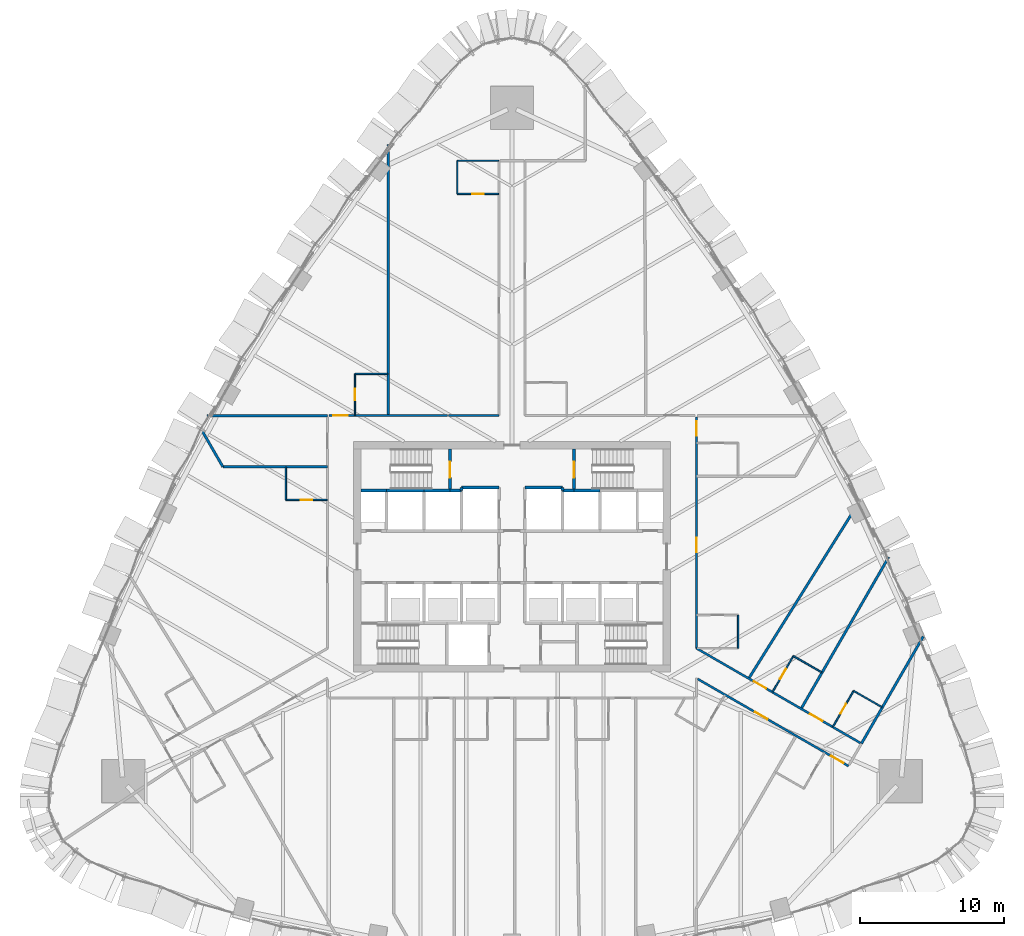
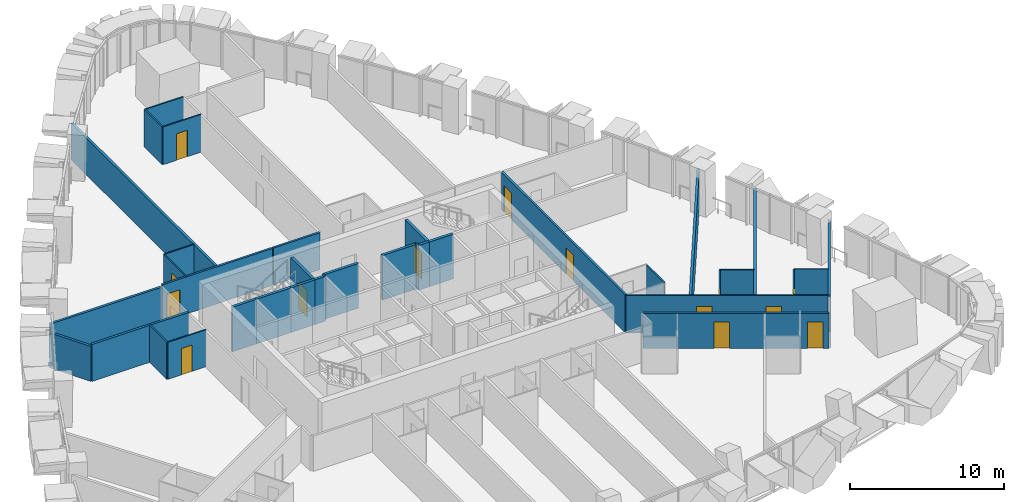
# One storey, part 18 of 24: 36 walls, 14 doors, 14 openings.
"""IFC4 building model written with IfcOpenShell, lengths in metres."""

from ifc_helpers import new_model, si_unit, direction, frame, frame_2d, origin, place, context, subcontext, project, spatial, rectangle, extrude, material, layer, layer_set, type_object, element, fill, save


model = new_model("IFC4")

# Units and contexts
model_context = context("Model", 3, precision=1e-05, world=origin(), true_north=direction((0.0, 1.0)))
body_context = subcontext(model_context, "Body", "Model", "MODEL_VIEW")
ifc_project = project(units=[si_unit("LENGTHUNIT", "METRE"), si_unit("AREAUNIT", "SQUARE_METRE"), si_unit("VOLUMEUNIT", "CUBIC_METRE"), si_unit("PLANEANGLEUNIT", "RADIAN"), si_unit("MASSUNIT", "GRAM", prefix="KILO")], contexts=[model_context])

# Site, building, storey
site_placement = place(None, origin())
site = spatial("IfcSite", under=ifc_project, at=site_placement, CompositionType="ELEMENT")
building_placement = place(site_placement, origin())
building = spatial("IfcBuilding", under=site, at=building_placement, Name="Sierra Prisma Convention Tower", CompositionType="ELEMENT")
storey_placement = place(building_placement, frame((0.0, 0.0, 55.39990234375)))
storey = spatial("IfcBuildingStorey", under=building, at=storey_placement, Name="L09", CompositionType="ELEMENT", Elevation=55.39990234375)

# Wall, opening, door
ifc_material_1 = material(Name="Gypsum board partition", Category="gypsum")
ifc_layer_1 = layer(ifc_material_1, 0.10009765625)
ifc_layer_set_1 = layer_set([ifc_layer_1], Name="Bathroom partition 100")
wall_type_1 = type_object("IfcWallType", Name="Bathroom partition 100", PredefinedType="PARTITIONING", material=ifc_layer_set_1)
wall_1_placement = place(storey_placement, frame((-12.830078125, 3.94921875, 0.0), z_axis=(0.0, 0.0, 1.0), x_axis=(-1.0, 0.0, 0.0)))
wall_1 = element("IfcWall", 1, at=wall_1_placement, inside=storey, type_object=wall_type_1, Name="Partition L09 bath 8", PredefinedType="PARTITIONING", context=body_context, shape_type="SweptSolid", body=[
    extrude(rectangle(XDim=2.869873046875, YDim=0.10009765625, at=frame_2d((1.43505859375, 0.0))), origin(), (0.0, 0.0, 1.0), 2.943115234375),
])
opening_1_placement = place(wall_1_placement, frame((1.034912109375, 0.0, 0.0)))
opening_1 = element("IfcOpeningElement", 2, at=opening_1_placement, cuts=wall_1, Name="Opening L09-D006", PredefinedType="OPENING", context=body_context, shape_type="SweptSolid", body=[
    extrude(rectangle(XDim=0.800048828125, YDim=2.10009765625, at=frame_2d((0.39990234375, 1.050048828125))), frame((0.0, 0.050048828125, 0.0), z_axis=(0.0, -1.0, 0.0), x_axis=(1.0, 0.0, 0.0)), (0.0, 0.0, 1.0), 0.10009765625),
])
ifc_material_2 = material(Name="Solid core timber door leaf", Category="wood")
door_type_1 = type_object("IfcDoorType", Name="Door 800x2100 plain", OperationType="SINGLE_SWING_LEFT", PredefinedType="DOOR", material=ifc_material_2)
door_1_placement = place(opening_1_placement, origin())
door_1 = element("IfcDoor", 3, at=door_1_placement, inside=storey, type_object=door_type_1, Name="Door L09 14", OperationType="SINGLE_SWING_RIGHT", OverallHeight=2.10009765625, OverallWidth=0.800048828125, PredefinedType="DOOR", context=body_context, shape_type="SweptSolid", body=[
    extrude(rectangle(XDim=0.800048828125, YDim=2.10009765625, at=frame_2d((0.39990234375, 1.050048828125))), frame((0.0, 0.02490234375, 0.0), z_axis=(0.0, -1.0, 0.0), x_axis=(1.0, 0.0, 0.0)), (0.0, 0.0, 1.0), 0.050048828125),
])
fill(opening_1, door_1)

# Wall
wall_2_placement = place(storey_placement, frame((-15.699951171875, 3.94921875, 0.0), z_axis=(0.0, 0.0, 1.0), x_axis=(0.0, 1.0, 0.0)))
element("IfcWall", 4, at=wall_2_placement, inside=storey, type_object=wall_type_1, Name="Partition L09 bath 9", PredefinedType="PARTITIONING", context=body_context, shape_type="SweptSolid", body=[
    extrude(rectangle(XDim=2.269775390625, YDim=0.10009765625, at=frame_2d((1.134765625, 0.0))), origin(), (0.0, 0.0, 1.0), 2.943115234375),
])

# Wall, opening, door
wall_3_placement = place(storey_placement, frame((-10.89990234375, 9.830078125, 0.0), z_axis=(0.0, 0.0, 1.0), x_axis=(0.0, 1.0, 0.0)))
wall_3 = element("IfcWall", 5, at=wall_3_placement, inside=storey, type_object=wall_type_1, Name="Partition L09 bath 10", PredefinedType="PARTITIONING", context=body_context, shape_type="SweptSolid", body=[
    extrude(rectangle(XDim=2.869873046875, YDim=0.10009765625, at=frame_2d((1.43505859375, 0.0))), origin(), (0.0, 0.0, 1.0), 2.943115234375),
])
opening_2_placement = place(wall_3_placement, frame((1.034912109375, 0.0, 0.0)))
opening_2 = element("IfcOpeningElement", 6, at=opening_2_placement, cuts=wall_3, Name="Opening L09-D005", PredefinedType="OPENING", context=body_context, shape_type="SweptSolid", body=[
    extrude(rectangle(XDim=0.800048828125, YDim=2.10009765625, at=frame_2d((0.39990234375, 1.050048828125))), frame((0.0, 0.050048828125, 0.0), z_axis=(0.0, -1.0, 0.0), x_axis=(1.0, 0.0, 0.0)), (0.0, 0.0, 1.0), 0.10009765625),
])
door_2_placement = place(opening_2_placement, origin())
door_2 = element("IfcDoor", 7, at=door_2_placement, inside=storey, type_object=door_type_1, Name="Door L09 11", OperationType="SINGLE_SWING_RIGHT", OverallHeight=2.10009765625, OverallWidth=0.800048828125, PredefinedType="DOOR", context=body_context, shape_type="SweptSolid", body=[
    extrude(rectangle(XDim=0.800048828125, YDim=2.10009765625, at=frame_2d((0.39990234375, 1.050048828125))), frame((0.0, 0.02490234375, 0.0), z_axis=(0.0, -1.0, 0.0), x_axis=(1.0, 0.0, 0.0)), (0.0, 0.0, 1.0), 0.050048828125),
])
fill(opening_2, door_2)

# Wall
wall_4_placement = place(storey_placement, frame((-10.89990234375, 12.699951171875, 0.0), z_axis=(0.0, 0.0, 1.0), x_axis=(1.0, 0.0, 0.0)))
element("IfcWall", 8, at=wall_4_placement, inside=storey, type_object=wall_type_1, Name="Partition L09 bath 11", PredefinedType="PARTITIONING", context=body_context, shape_type="SweptSolid", body=[
    extrude(rectangle(XDim=2.27001953125, YDim=0.10009765625, at=frame_2d((1.135009765625, 0.0))), origin(), (0.0, 0.0, 1.0), 2.947021484375),
])

# Wall, opening, door
wall_5_placement = place(storey_placement, frame((-0.929931640625, 25.194580078125, 0.0), z_axis=(0.0, 0.0, 1.0), x_axis=(-1.0, 0.0, 0.0)))
wall_5 = element("IfcWall", 9, at=wall_5_placement, inside=storey, type_object=wall_type_1, Name="Partition L09 bath 16", PredefinedType="PARTITIONING", context=body_context, shape_type="SweptSolid", body=[
    extrude(rectangle(XDim=2.8701171875, YDim=0.10009765625, at=frame_2d((1.43505859375, 0.0))), origin(), (0.0, 0.0, 1.0), 3.0),
])
opening_3_placement = place(wall_5_placement, frame((1.034912109375, 0.0, 0.0)))
opening_3 = element("IfcOpeningElement", 10, at=opening_3_placement, cuts=wall_5, Name="Opening L09-D004", PredefinedType="OPENING", context=body_context, shape_type="SweptSolid", body=[
    extrude(rectangle(XDim=0.800048828125, YDim=2.10009765625, at=frame_2d((0.39990234375, 1.050048828125))), frame((0.0, 0.050048828125, 0.0), z_axis=(0.0, -1.0, 0.0), x_axis=(1.0, 0.0, 0.0)), (0.0, 0.0, 1.0), 0.10009765625),
])
door_3_placement = place(opening_3_placement, origin())
door_3 = element("IfcDoor", 11, at=door_3_placement, inside=storey, type_object=door_type_1, Name="Door L09 9", OperationType="SINGLE_SWING_LEFT", OverallHeight=2.10009765625, OverallWidth=0.800048828125, PredefinedType="DOOR", context=body_context, shape_type="SweptSolid", body=[
    extrude(rectangle(XDim=0.800048828125, YDim=2.10009765625, at=frame_2d((0.39990234375, 1.050048828125))), frame((0.0, 0.02490234375, 0.0), z_axis=(0.0, -1.0, 0.0), x_axis=(1.0, 0.0, 0.0)), (0.0, 0.0, 1.0), 0.050048828125),
])
fill(opening_3, door_3)

# Walls
wall_6_placement = place(storey_placement, frame((-3.800048828125, 25.194580078125, 0.0), z_axis=(0.0, 0.0, 1.0), x_axis=(0.0, 1.0, 0.0)))
element("IfcWall", 12, at=wall_6_placement, inside=storey, type_object=wall_type_1, Name="Partition L09 bath 17", PredefinedType="PARTITIONING", context=body_context, shape_type="SweptSolid", body=[
    extrude(rectangle(XDim=2.300048828125, YDim=0.10009765625, at=frame_2d((1.14990234375, 0.0))), origin(), (0.0, 0.0, 1.0), 3.0),
])
wall_7_placement = place(storey_placement, frame((-3.800048828125, 27.49462890625, 0.0), z_axis=(0.0, 0.0, 1.0), x_axis=(1.0, 0.0, 0.0)))
element("IfcWall", 13, at=wall_7_placement, inside=storey, type_object=wall_type_1, Name="Partition L09 bath 18", PredefinedType="PARTITIONING", context=body_context, shape_type="SweptSolid", body=[
    extrude(rectangle(XDim=2.8701171875, YDim=0.10009765625, at=frame_2d((1.43505859375, 0.0))), origin(), (0.0, 0.0, 1.0), 3.0),
])
wall_8_placement = place(storey_placement, frame((15.699951171875, -4.05078125, 0.0), z_axis=(0.0, 0.0, 1.0), x_axis=(0.0, -1.0, 0.0)))
element("IfcWall", 14, at=wall_8_placement, inside=storey, type_object=wall_type_1, Name="Partition L09 bath 29", PredefinedType="PARTITIONING", context=body_context, shape_type="SweptSolid", body=[
    extrude(rectangle(XDim=2.300048828125, YDim=0.10009765625, at=frame_2d((1.14990234375, 0.0))), origin(), (0.0, 0.0, 1.0), 2.947021484375),
])

# Wall, opening, door
wall_9_placement = place(storey_placement, frame((18.097900390625, -9.375, 0.0), z_axis=(0.0, 0.0, 1.0), x_axis=(0.499936001555, 0.866062350151, 0.0)))
wall_9 = element("IfcWall", 15, at=wall_9_placement, inside=storey, type_object=wall_type_1, Name="Partition L09 bath 33", PredefinedType="PARTITIONING", context=body_context, shape_type="SweptSolid", body=[
    extrude(rectangle(XDim=2.8701171875, YDim=0.10009765625, at=frame_2d((1.43505859375, 0.0))), origin(), (0.0, 0.0, 1.0), 2.947021484375),
])
opening_4_placement = place(wall_9_placement, frame((1.034912109375, 0.0, 0.0)))
opening_4 = element("IfcOpeningElement", 16, at=opening_4_placement, cuts=wall_9, Name="Opening L09-D017", PredefinedType="OPENING", context=body_context, shape_type="SweptSolid", body=[
    extrude(rectangle(XDim=0.800048828125, YDim=2.10009765625, at=frame_2d((0.39990234375, 1.050048828125))), frame((0.0, 0.050048828125, 0.0), z_axis=(0.0, -1.0, 0.0), x_axis=(1.0, 0.0, 0.0)), (0.0, 0.0, 1.0), 0.10009765625),
])
door_4_placement = place(opening_4_placement, origin())
door_4 = element("IfcDoor", 17, at=door_4_placement, inside=storey, type_object=door_type_1, Name="Door L09 37", OperationType="SINGLE_SWING_RIGHT", OverallHeight=2.10009765625, OverallWidth=0.800048828125, PredefinedType="DOOR", context=body_context, shape_type="SweptSolid", body=[
    extrude(rectangle(XDim=0.800048828125, YDim=2.10009765625, at=frame_2d((0.39990234375, 1.050048828125))), frame((0.0, 0.02490234375, 0.0), z_axis=(0.0, -1.0, 0.0), x_axis=(1.0, 0.0, 0.0)), (0.0, 0.0, 1.0), 0.050048828125),
])
fill(opening_4, door_4)

# Wall
wall_10_placement = place(storey_placement, frame((19.53271484375, -6.889404296875, 0.0), z_axis=(0.0, 0.0, 1.0), x_axis=(0.866017224141, -0.500014167291, 0.0)))
element("IfcWall", 18, at=wall_10_placement, inside=storey, type_object=wall_type_1, Name="Partition L09 bath 34", PredefinedType="PARTITIONING", context=body_context, shape_type="SweptSolid", body=[
    extrude(rectangle(XDim=2.27001953125, YDim=0.10009765625, at=frame_2d((1.135009765625, 0.0))), origin(), (0.0, 0.0, 1.0), 2.947021484375),
])

# Wall, opening, door
wall_11_placement = place(storey_placement, frame((22.2841796875, -11.7919921875, 0.0), z_axis=(0.0, 0.0, 1.0), x_axis=(0.499999802827, 0.866025517622, 0.0)))
wall_11 = element("IfcWall", 19, at=wall_11_placement, inside=storey, type_object=wall_type_1, Name="Partition L09 bath 37", PredefinedType="PARTITIONING", context=body_context, shape_type="SweptSolid", body=[
    extrude(rectangle(XDim=2.8701171875, YDim=0.10009765625, at=frame_2d((1.43505859375, 0.0))), origin(), (0.0, 0.0, 1.0), 3.0),
])
opening_5_placement = place(wall_11_placement, frame((1.034912109375, 0.0, 0.0)))
opening_5 = element("IfcOpeningElement", 20, at=opening_5_placement, cuts=wall_11, Name="Opening L09-D016", PredefinedType="OPENING", context=body_context, shape_type="SweptSolid", body=[
    extrude(rectangle(XDim=0.800048828125, YDim=2.10009765625, at=frame_2d((0.39990234375, 1.050048828125))), frame((0.0, 0.050048828125, 0.0), z_axis=(0.0, -1.0, 0.0), x_axis=(1.0, 0.0, 0.0)), (0.0, 0.0, 1.0), 0.10009765625),
])
door_5_placement = place(opening_5_placement, origin())
door_5 = element("IfcDoor", 21, at=door_5_placement, inside=storey, type_object=door_type_1, Name="Door L09 35", OperationType="SINGLE_SWING_LEFT", OverallHeight=2.10009765625, OverallWidth=0.800048828125, PredefinedType="DOOR", context=body_context, shape_type="SweptSolid", body=[
    extrude(rectangle(XDim=0.800048828125, YDim=2.10009765625, at=frame_2d((0.39990234375, 1.050048828125))), frame((0.0, 0.02490234375, 0.0), z_axis=(0.0, -1.0, 0.0), x_axis=(1.0, 0.0, 0.0)), (0.0, 0.0, 1.0), 0.050048828125),
])
fill(opening_5, door_5)

# Walls
wall_12_placement = place(storey_placement, frame((23.71923828125, -9.306396484375, 0.0), z_axis=(0.0, 0.0, 1.0), x_axis=(0.866017224141, -0.500014167291, 0.0)))
element("IfcWall", 22, at=wall_12_placement, inside=storey, type_object=wall_type_1, Name="Partition L09 bath 38", PredefinedType="PARTITIONING", context=body_context, shape_type="SweptSolid", body=[
    extrude(rectangle(XDim=2.27001953125, YDim=0.10009765625, at=frame_2d((1.135009765625, 0.0))), origin(), (0.0, 0.0, 1.0), 3.0),
])
ifc_material_3 = material(Name="Concrete C30/37", Category="concrete")
ifc_layer_2 = layer(ifc_material_3, 0.199951171875)
ifc_layer_set_2 = layer_set([ifc_layer_2], Name="Core wall RC 200 C30/37")
wall_type_2 = type_object("IfcWallType", Name="Core wall RC 200 C30/37", PredefinedType="SOLIDWALL", material=ifc_layer_set_2)
wall_13_placement = place(storey_placement, frame((-8.699951171875, 4.60009765625, 0.0), z_axis=(0.0, 0.0, 1.0), x_axis=(-1.0, 0.0, 0.0)))
element("IfcWall", 23, at=wall_13_placement, inside=storey, type_object=wall_type_2, Name="Core wall L09 4", PredefinedType="SOLIDWALL", context=body_context, shape_type="SweptSolid", body=[
    extrude(rectangle(XDim=1.800048828125, YDim=0.199951171875, at=frame_2d((0.89990234375, 0.0))), origin(), (0.0, 0.0, 1.0), 3.550048828125),
])
wall_14_placement = place(storey_placement, frame((-6.10009765625, 4.60009765625, 0.0), z_axis=(0.0, 0.0, 1.0), x_axis=(-1.0, 0.0, 0.0)))
element("IfcWall", 24, at=wall_14_placement, inside=storey, type_object=wall_type_2, Name="Core wall L09 10", PredefinedType="SOLIDWALL", context=body_context, shape_type="SweptSolid", body=[
    extrude(rectangle(XDim=2.599853515625, YDim=0.199951171875, at=frame_2d((1.2998046875, 0.0))), origin(), (0.0, 0.0, 1.0), 3.550048828125),
])
wall_15_placement = place(storey_placement, frame((-4.300048828125, 4.60009765625, 0.0), z_axis=(0.0, 0.0, 1.0), x_axis=(-1.0, 0.0, 0.0)))
element("IfcWall", 25, at=wall_15_placement, inside=storey, type_object=wall_type_2, Name="Core wall L09 16", PredefinedType="SOLIDWALL", context=body_context, shape_type="SweptSolid", body=[
    extrude(rectangle(XDim=1.800048828125, YDim=0.199951171875, at=frame_2d((0.89990234375, 0.0))), origin(), (0.0, 0.0, 1.0), 3.550048828125),
])
wall_16_placement = place(storey_placement, frame((-3.5, 4.60009765625, 0.0), z_axis=(0.0, 0.0, 1.0), x_axis=(-1.0, 0.0, 0.0)))
element("IfcWall", 26, at=wall_16_placement, inside=storey, type_object=wall_type_2, Name="Core wall L09 19", PredefinedType="SOLIDWALL", context=body_context, shape_type="SweptSolid", body=[
    extrude(rectangle(XDim=0.800048828125, YDim=0.199951171875, at=frame_2d((0.39990234375, 0.0))), origin(), (0.0, 0.0, 1.0), 3.550048828125),
])

# Wall, opening, door
wall_17_placement = place(storey_placement, frame((-4.300048828125, 4.60009765625, 0.0), z_axis=(0.0, 0.0, 1.0), x_axis=(0.0, 1.0, 0.0)))
wall_17 = element("IfcWall", 27, at=wall_17_placement, inside=storey, type_object=wall_type_2, Name="Core wall L09 20", PredefinedType="SOLIDWALL", context=body_context, shape_type="SweptSolid", body=[
    extrude(rectangle(XDim=2.89990234375, YDim=0.199951171875, at=frame_2d((1.449951171875, 0.0))), origin(), (0.0, 0.0, 1.0), 3.550048828125),
])
opening_6_placement = place(wall_17_placement, frame((0.89990234375, 0.0, 0.0)))
opening_6 = element("IfcOpeningElement", 28, at=opening_6_placement, cuts=wall_17, Name="Opening L09-D037", PredefinedType="OPENING", context=body_context, shape_type="SweptSolid", body=[
    extrude(rectangle(XDim=1.10009765625, YDim=2.10009765625, at=frame_2d((0.550048828125, 1.050048828125))), frame((0.0, 0.10009765625, 0.0), z_axis=(0.0, -1.0, 0.0), x_axis=(1.0, 0.0, 0.0)), (0.0, 0.0, 1.0), 0.199951171875),
])
ifc_material_4 = material(Name="Steel fire door leaf", Category="steel")
door_type_2 = type_object("IfcDoorType", Name="Door 1100x2100 FD90S", OperationType="SINGLE_SWING_LEFT", PredefinedType="DOOR", material=ifc_material_4)
door_6_placement = place(opening_6_placement, origin())
door_6 = element("IfcDoor", 29, at=door_6_placement, inside=storey, type_object=door_type_2, Name="Door L09 57", OperationType="SINGLE_SWING_RIGHT", OverallHeight=2.10009765625, OverallWidth=1.10009765625, PredefinedType="DOOR", context=body_context, shape_type="SweptSolid", body=[
    extrude(rectangle(XDim=1.10009765625, YDim=2.10009765625, at=frame_2d((0.550048828125, 1.050048828125))), frame((0.0, 0.02490234375, 0.0), z_axis=(0.0, -1.0, 0.0), x_axis=(1.0, 0.0, 0.0)), (0.0, 0.0, 1.0), 0.050048828125),
])
fill(opening_6, door_6)

# Walls
wall_18_placement = place(storey_placement, frame((-0.89990234375, 4.800048828125, 0.0), z_axis=(0.0, 0.0, 1.0), x_axis=(-1.0, 0.0, 0.0)))
element("IfcWall", 30, at=wall_18_placement, inside=storey, type_object=wall_type_2, Name="Core wall L09 27", PredefinedType="SOLIDWALL", context=body_context, shape_type="SweptSolid", body=[
    extrude(rectangle(XDim=2.60009765625, YDim=0.199951171875, at=frame_2d((1.300048828125, 0.0))), origin(), (0.0, 0.0, 1.0), 3.550048828125),
])
for number, where, z_axis, x_axis, name in (
    (31, (-3.5, 4.800048828125, 0.0), (0.0, 0.0, 1.0), (0.0, -1.0, 0.0), "Core wall L09 28"),
    (32, (3.5, 4.60009765625, 0.0), (0.0, 0.0, 1.0), (0.0, 1.0, 0.0), "Core wall L09 40"),
):
    element("IfcWall", number, at=place(storey_placement, frame(where, z_axis=z_axis, x_axis=x_axis)), inside=storey, type_object=wall_type_2, Name=name, PredefinedType="SOLIDWALL", context=body_context, shape_type="SweptSolid", body=[
        extrude(rectangle(XDim=0.199951171875, YDim=0.199951171875, at=frame_2d((0.10009765625, 0.0))), origin(), (0.0, 0.0, 1.0), 3.550048828125),
    ])
wall_19_placement = place(storey_placement, frame((3.5, 4.800048828125, 0.0), z_axis=(0.0, 0.0, 1.0), x_axis=(-1.0, 0.0, 0.0)))
element("IfcWall", 33, at=wall_19_placement, inside=storey, type_object=wall_type_2, Name="Core wall L09 41", PredefinedType="SOLIDWALL", context=body_context, shape_type="SweptSolid", body=[
    extrude(rectangle(XDim=2.60009765625, YDim=0.199951171875, at=frame_2d((1.300048828125, 0.0))), origin(), (0.0, 0.0, 1.0), 3.550048828125),
])
wall_20_placement = place(storey_placement, frame((4.300048828125, 4.60009765625, 0.0), z_axis=(0.0, 0.0, 1.0), x_axis=(-1.0, 0.0, 0.0)))
element("IfcWall", 34, at=wall_20_placement, inside=storey, type_object=wall_type_2, Name="Core wall L09 52", PredefinedType="SOLIDWALL", context=body_context, shape_type="SweptSolid", body=[
    extrude(rectangle(XDim=0.800048828125, YDim=0.199951171875, at=frame_2d((0.39990234375, 0.0))), origin(), (0.0, 0.0, 1.0), 3.550048828125),
])
wall_21_placement = place(storey_placement, frame((6.10009765625, 4.60009765625, 0.0), z_axis=(0.0, 0.0, 1.0), x_axis=(-1.0, 0.0, 0.0)))
element("IfcWall", 35, at=wall_21_placement, inside=storey, type_object=wall_type_2, Name="Core wall L09 53", PredefinedType="SOLIDWALL", context=body_context, shape_type="SweptSolid", body=[
    extrude(rectangle(XDim=1.800048828125, YDim=0.199951171875, at=frame_2d((0.89990234375, 0.0))), origin(), (0.0, 0.0, 1.0), 3.550048828125),
])

# Wall, opening, door
wall_22_placement = place(storey_placement, frame((4.300048828125, 7.5, 0.0), z_axis=(0.0, 0.0, 1.0), x_axis=(0.0, -1.0, 0.0)))
wall_22 = element("IfcWall", 36, at=wall_22_placement, inside=storey, type_object=wall_type_2, Name="Core wall L09 54", PredefinedType="SOLIDWALL", context=body_context, shape_type="SweptSolid", body=[
    extrude(rectangle(XDim=2.89990234375, YDim=0.199951171875, at=frame_2d((1.449951171875, 0.0))), origin(), (0.0, 0.0, 1.0), 3.550048828125),
])
opening_7_placement = place(wall_22_placement, frame((0.89990234375, 0.0, 0.0)))
opening_7 = element("IfcOpeningElement", 37, at=opening_7_placement, cuts=wall_22, Name="Opening L09-D038", PredefinedType="OPENING", context=body_context, shape_type="SweptSolid", body=[
    extrude(rectangle(XDim=1.10009765625, YDim=2.10009765625, at=frame_2d((0.550048828125, 1.050048828125))), frame((0.0, 0.10009765625, 0.0), z_axis=(0.0, -1.0, 0.0), x_axis=(1.0, 0.0, 0.0)), (0.0, 0.0, 1.0), 0.199951171875),
])
door_7_placement = place(opening_7_placement, origin())
door_7 = element("IfcDoor", 38, at=door_7_placement, inside=storey, type_object=door_type_2, Name="Door L09 58", OperationType="SINGLE_SWING_LEFT", OverallHeight=2.10009765625, OverallWidth=1.10009765625, PredefinedType="DOOR", context=body_context, shape_type="SweptSolid", body=[
    extrude(rectangle(XDim=1.10009765625, YDim=2.10009765625, at=frame_2d((0.550048828125, 1.050048828125))), frame((0.0, 0.02490234375, 0.0), z_axis=(0.0, -1.0, 0.0), x_axis=(1.0, 0.0, 0.0)), (0.0, 0.0, 1.0), 0.050048828125),
])
fill(opening_7, door_7)

ifc_material_5 = material(Name="Gypsum board partition", Category="gypsum")
ifc_layer_3 = layer(ifc_material_5, 0.14990234375)
ifc_layer_set_3 = layer_set([ifc_layer_3], Name="Corridor wall 150 gypsum EI 60")
wall_type_3 = type_object("IfcWallType", Name="Corridor wall 150 gypsum EI 60", PredefinedType="PARTITIONING", material=ifc_layer_set_3)
wall_23_placement = place(storey_placement, frame((-4.47998046875, 9.800048828125, 0.0), z_axis=(0.0, 0.0, 1.0), x_axis=(-1.0, 0.0, 0.0)))
wall_23 = element("IfcWall", 39, at=wall_23_placement, inside=storey, type_object=wall_type_3, Name="Partition L09 corr 7", PredefinedType="PARTITIONING", context=body_context, shape_type="SweptSolid", body=[
    extrude(rectangle(XDim=8.239990234375, YDim=0.14990234375, at=frame_2d((4.1201171875, 0.0))), origin(), (0.0, 0.0, 1.0), 2.943115234375),
])
opening_8_placement = place(wall_23_placement, frame((6.929931640625, 0.0, 0.0)))
opening_8 = element("IfcOpeningElement", 40, at=opening_8_placement, cuts=wall_23, Name="Opening L09-D046", PredefinedType="OPENING", context=body_context, shape_type="SweptSolid", body=[
    extrude(rectangle(XDim=1.0, YDim=2.10009765625, at=frame_2d((0.5, 1.050048828125))), frame((0.0, 0.074951171875, 0.0), z_axis=(0.0, -1.0, 0.0), x_axis=(1.0, 0.0, 0.0)), (0.0, 0.0, 1.0), 0.14990234375),
])
ifc_material_6 = material(Name="Steel fire door leaf", Category="steel")
door_type_3 = type_object("IfcDoorType", Name="Door 1000x2100 FD30S", OperationType="SINGLE_SWING_LEFT", PredefinedType="DOOR", material=ifc_material_6)
door_8_placement = place(opening_8_placement, origin())
door_8 = element("IfcDoor", 41, at=door_8_placement, inside=storey, type_object=door_type_3, Name="Door L09 10", OperationType="SINGLE_SWING_RIGHT", OverallHeight=2.10009765625, OverallWidth=1.0, PredefinedType="DOOR", context=body_context, shape_type="SweptSolid", body=[
    extrude(rectangle(XDim=1.0, YDim=2.10009765625, at=frame_2d((0.5, 1.050048828125))), frame((0.0, 0.02490234375, 0.0), z_axis=(0.0, -1.0, 0.0), x_axis=(1.0, 0.0, 0.0)), (0.0, 0.0, 1.0), 0.050048828125),
])
fill(opening_8, door_8)

# Wall
wall_24_placement = place(storey_placement, frame((-0.89990234375, 9.800048828125, 0.0), z_axis=(0.0, 0.0, 1.0), x_axis=(-1.0, 0.0, 0.0)))
element("IfcWall", 42, at=wall_24_placement, inside=storey, type_object=wall_type_3, Name="Partition L09 corr 9", PredefinedType="PARTITIONING", context=body_context, shape_type="SweptSolid", body=[
    extrude(rectangle(XDim=3.5, YDim=0.14990234375, at=frame_2d((1.75, 0.0))), origin(), (0.0, 0.0, 1.0), 2.947021484375),
])

# Wall, openings, doors
wall_25_placement = place(storey_placement, frame((12.87939453125, -8.47509765625, 0.0), z_axis=(0.0, 0.0, 1.0), x_axis=(0.866028715104, -0.499994264582, 0.0)))
wall_25 = element("IfcWall", 43, at=wall_25_placement, inside=storey, type_object=wall_type_3, Name="Partition L09 corr 15", PredefinedType="PARTITIONING", context=body_context, shape_type="SweptSolid", body=[
    extrude(rectangle(XDim=12.103271484375, YDim=0.14990234375, at=frame_2d((6.0517578125, 0.0))), origin(), (0.0, 0.0, 1.0), 2.797119140625),
])
opening_9_placement = place(wall_25_placement, frame((4.605712890625, 0.0, 0.0)))
opening_9 = element("IfcOpeningElement", 44, at=opening_9_placement, cuts=wall_25, Name="Opening L09-D057", PredefinedType="OPENING", context=body_context, shape_type="SweptSolid", body=[
    extrude(rectangle(XDim=1.0, YDim=2.10009765625, at=frame_2d((0.5, 1.050048828125))), frame((0.0, 0.074951171875, 0.0), z_axis=(0.0, -1.0, 0.0), x_axis=(1.0, 0.0, 0.0)), (0.0, 0.0, 1.0), 0.14990234375),
])
opening_10_placement = place(wall_25_placement, frame((10.703125, 0.0, 0.0)))
opening_10 = element("IfcOpeningElement", 45, at=opening_10_placement, cuts=wall_25, Name="Opening L09-D058", PredefinedType="OPENING", context=body_context, shape_type="SweptSolid", body=[
    extrude(rectangle(XDim=1.0, YDim=2.10009765625, at=frame_2d((0.5, 1.050048828125))), frame((0.0, 0.074951171875, 0.0), z_axis=(0.0, -1.0, 0.0), x_axis=(1.0, 0.0, 0.0)), (0.0, 0.0, 1.0), 0.14990234375),
])
door_9_placement = place(opening_9_placement, origin())
door_9 = element("IfcDoor", 46, at=door_9_placement, inside=storey, type_object=door_type_3, Name="Door L09 30", OperationType="SINGLE_SWING_RIGHT", OverallHeight=2.10009765625, OverallWidth=1.0, PredefinedType="DOOR", context=body_context, shape_type="SweptSolid", body=[
    extrude(rectangle(XDim=1.0, YDim=2.10009765625, at=frame_2d((0.5, 1.050048828125))), frame((0.0, 0.02490234375, 0.0), z_axis=(0.0, -1.0, 0.0), x_axis=(1.0, 0.0, 0.0)), (0.0, 0.0, 1.0), 0.050048828125),
])
fill(opening_9, door_9)
door_10_placement = place(opening_10_placement, origin())
door_10 = element("IfcDoor", 47, at=door_10_placement, inside=storey, type_object=door_type_3, Name="Door L09 32", OperationType="SINGLE_SWING_RIGHT", OverallHeight=2.10009765625, OverallWidth=1.0, PredefinedType="DOOR", context=body_context, shape_type="SweptSolid", body=[
    extrude(rectangle(XDim=1.0, YDim=2.10009765625, at=frame_2d((0.5, 1.050048828125))), frame((0.0, 0.02490234375, 0.0), z_axis=(0.0, -1.0, 0.0), x_axis=(1.0, 0.0, 0.0)), (0.0, 0.0, 1.0), 0.050048828125),
])
fill(opening_10, door_10)

wall_26_placement = place(storey_placement, frame((24.191650390625, -12.927978515625, 0.0), z_axis=(0.0, 0.0, 1.0), x_axis=(-0.866018681408, 0.500011643316, 0.0)))
wall_26 = element("IfcWall", 48, at=wall_26_placement, inside=storey, type_object=wall_type_3, Name="Partition L09 corr 17", PredefinedType="PARTITIONING", context=body_context, shape_type="SweptSolid", body=[
    extrude(rectangle(XDim=13.154052734375, YDim=0.14990234375, at=frame_2d((6.5771484375, 0.0))), origin(), (0.0, 0.0, 1.0), 2.947021484375),
])
opening_11_placement = place(wall_26_placement, frame((3.037109375, 0.0, 0.0)))
opening_11 = element("IfcOpeningElement", 49, at=opening_11_placement, cuts=wall_26, Name="Opening L09-D059", PredefinedType="OPENING", context=body_context, shape_type="SweptSolid", body=[
    extrude(rectangle(XDim=1.0, YDim=2.10009765625, at=frame_2d((0.5, 1.050048828125))), frame((0.0, 0.074951171875, 0.0), z_axis=(0.0, -1.0, 0.0), x_axis=(1.0, 0.0, 0.0)), (0.0, 0.0, 1.0), 0.14990234375),
])
opening_12_placement = place(wall_26_placement, frame((7.553955078125, 0.0, 0.0)))
opening_12 = element("IfcOpeningElement", 50, at=opening_12_placement, cuts=wall_26, Name="Opening L09-D060", PredefinedType="OPENING", context=body_context, shape_type="SweptSolid", body=[
    extrude(rectangle(XDim=1.0, YDim=2.10009765625, at=frame_2d((0.5, 1.050048828125))), frame((0.0, 0.074951171875, 0.0), z_axis=(0.0, -1.0, 0.0), x_axis=(1.0, 0.0, 0.0)), (0.0, 0.0, 1.0), 0.14990234375),
])
door_11_placement = place(opening_11_placement, origin())
door_11 = element("IfcDoor", 51, at=door_11_placement, inside=storey, type_object=door_type_3, Name="Door L09 34", OperationType="SINGLE_SWING_LEFT", OverallHeight=2.10009765625, OverallWidth=1.0, PredefinedType="DOOR", context=body_context, shape_type="SweptSolid", body=[
    extrude(rectangle(XDim=1.0, YDim=2.10009765625, at=frame_2d((0.5, 1.050048828125))), frame((0.0, 0.02490234375, 0.0), z_axis=(0.0, -1.0, 0.0), x_axis=(1.0, 0.0, 0.0)), (0.0, 0.0, 1.0), 0.050048828125),
])
fill(opening_11, door_11)
door_12_placement = place(opening_12_placement, origin())
door_12 = element("IfcDoor", 52, at=door_12_placement, inside=storey, type_object=door_type_3, Name="Door L09 36", OperationType="SINGLE_SWING_LEFT", OverallHeight=2.10009765625, OverallWidth=1.0, PredefinedType="DOOR", context=body_context, shape_type="SweptSolid", body=[
    extrude(rectangle(XDim=1.0, YDim=2.10009765625, at=frame_2d((0.5, 1.050048828125))), frame((0.0, 0.02490234375, 0.0), z_axis=(0.0, -1.0, 0.0), x_axis=(1.0, 0.0, 0.0)), (0.0, 0.0, 1.0), 0.050048828125),
])
fill(opening_12, door_12)

wall_27_placement = place(storey_placement, frame((12.800048828125, -6.350830078125, 0.0), z_axis=(0.0, 0.0, 1.0), x_axis=(0.0, 1.0, 0.0)))
wall_27 = element("IfcWall", 53, at=wall_27_placement, inside=storey, type_object=wall_type_3, Name="Partition L09 corr 18", PredefinedType="PARTITIONING", context=body_context, shape_type="SweptSolid", body=[
    extrude(rectangle(XDim=16.07080078125, YDim=0.14990234375, at=frame_2d((8.035400390625, 0.0))), origin(), (0.0, 0.0, 1.0), 3.0),
])
opening_13_placement = place(wall_27_placement, frame((6.675537109375, 0.0, 0.0)))
opening_13 = element("IfcOpeningElement", 54, at=opening_13_placement, cuts=wall_27, Name="Opening L09-D041", PredefinedType="OPENING", context=body_context, shape_type="SweptSolid", body=[
    extrude(rectangle(XDim=1.0, YDim=2.10009765625, at=frame_2d((0.5, 1.050048828125))), frame((0.0, 0.074951171875, 0.0), z_axis=(0.0, -1.0, 0.0), x_axis=(1.0, 0.0, 0.0)), (0.0, 0.0, 1.0), 0.14990234375),
])
opening_14_placement = place(wall_27_placement, frame((14.7509765625, 0.0, 0.0)))
opening_14 = element("IfcOpeningElement", 55, at=opening_14_placement, cuts=wall_27, Name="Opening L09-D042", PredefinedType="OPENING", context=body_context, shape_type="SweptSolid", body=[
    extrude(rectangle(XDim=1.0, YDim=2.10009765625, at=frame_2d((0.5, 1.050048828125))), frame((0.0, 0.074951171875, 0.0), z_axis=(0.0, -1.0, 0.0), x_axis=(1.0, 0.0, 0.0)), (0.0, 0.0, 1.0), 0.14990234375),
])
door_13_placement = place(opening_13_placement, origin())
door_13 = element("IfcDoor", 56, at=door_13_placement, inside=storey, type_object=door_type_3, Name="Door L09 1", OperationType="SINGLE_SWING_LEFT", OverallHeight=2.10009765625, OverallWidth=1.0, PredefinedType="DOOR", context=body_context, shape_type="SweptSolid", body=[
    extrude(rectangle(XDim=1.0, YDim=2.10009765625, at=frame_2d((0.5, 1.050048828125))), frame((0.0, 0.02490234375, 0.0), z_axis=(0.0, -1.0, 0.0), x_axis=(1.0, 0.0, 0.0)), (0.0, 0.0, 1.0), 0.050048828125),
])
fill(opening_13, door_13)
door_14_placement = place(opening_14_placement, origin())
door_14 = element("IfcDoor", 57, at=door_14_placement, inside=storey, type_object=door_type_3, Name="Door L09 3", OperationType="SINGLE_SWING_LEFT", OverallHeight=2.10009765625, OverallWidth=1.0, PredefinedType="DOOR", context=body_context, shape_type="SweptSolid", body=[
    extrude(rectangle(XDim=1.0, YDim=2.10009765625, at=frame_2d((0.5, 1.050048828125))), frame((0.0, 0.02490234375, 0.0), z_axis=(0.0, -1.0, 0.0), x_axis=(1.0, 0.0, 0.0)), (0.0, 0.0, 1.0), 0.050048828125),
])
fill(opening_14, door_14)

# Walls
ifc_material_7 = material(Name="Acoustic gypsum board partition", Category="gypsum")
ifc_layer_4 = layer(ifc_material_7, 0.175048828125)
ifc_layer_set_4 = layer_set([ifc_layer_4], Name="Guest room party wall 175 acoustic EI 60")
wall_type_4 = type_object("IfcWallType", Name="Guest room party wall 175 acoustic EI 60", PredefinedType="PARTITIONING", material=ifc_layer_set_4)
wall_28_placement = place(storey_placement, frame((-21.632080078125, 8.946533203125, 0.0), z_axis=(0.0, 0.0, 1.0), x_axis=(0.499991586322, -0.866030261369, 0.0)))
element("IfcWall", 58, at=wall_28_placement, inside=storey, type_object=wall_type_4, Name="Partition L09 hparty 4", PredefinedType="PARTITIONING", context=body_context, shape_type="SweptSolid", body=[
    extrude(rectangle(XDim=3.11474609375, YDim=0.175048828125, at=frame_2d((1.557373046875, 0.0))), origin(), (0.0, 0.0, 1.0), 2.7841796875),
])
wall_29_placement = place(storey_placement, frame((-20.07470703125, 6.2490234375, 0.0), z_axis=(0.0, 0.0, 1.0), x_axis=(1.0, 0.0, 0.0)))
element("IfcWall", 59, at=wall_29_placement, inside=storey, type_object=wall_type_4, Name="Partition L09 hparty 5", PredefinedType="PARTITIONING", context=body_context, shape_type="SweptSolid", body=[
    extrude(rectangle(XDim=7.274658203125, YDim=0.175048828125, at=frame_2d((3.63720703125, 0.0))), origin(), (0.0, 0.0, 1.0), 2.943115234375),
])
wall_30_placement = place(storey_placement, frame((-12.800048828125, 9.800048828125, 0.0), z_axis=(0.0, 0.0, 1.0), x_axis=(-1.0, 0.0, 0.0)))
element("IfcWall", 60, at=wall_30_placement, inside=storey, type_object=wall_type_4, Name="Partition L09 hparty 6", PredefinedType="PARTITIONING", context=body_context, shape_type="SweptSolid", body=[
    extrude(rectangle(XDim=8.35986328125, YDim=0.175048828125, at=frame_2d((4.179931640625, 0.0))), origin(), (0.0, 0.0, 1.0), 2.7841796875),
])
wall_31_placement = place(storey_placement, frame((-8.60009765625, 9.800048828125, 0.0), z_axis=(0.0, 0.0, 1.0), x_axis=(0.0, 1.0, 0.0)))
element("IfcWall", 61, at=wall_31_placement, inside=storey, type_object=wall_type_4, Name="Partition L09 hparty 8", PredefinedType="PARTITIONING", context=body_context, shape_type="SweptSolid", body=[
    extrude(rectangle(XDim=18.82421875, YDim=0.175048828125, at=frame_2d((9.412109375, 0.0))), origin(), (0.0, 0.0, 1.0), 2.93408203125),
])
wall_32_placement = place(storey_placement, frame((24.0654296875, 3.74951171875, 0.0), z_axis=(0.0, 0.0, 1.0), x_axis=(-0.530143821716, -0.847907735721, 0.0)))
element("IfcWall", 62, at=wall_32_placement, inside=storey, type_object=wall_type_4, Name="Partition L09 hparty 23", PredefinedType="PARTITIONING", context=body_context, shape_type="SweptSolid", body=[
    extrude(rectangle(XDim=14.388916015625, YDim=0.175048828125, at=frame_2d((7.1943359375, 0.0))), origin(), (0.0, 0.0, 1.0), 2.947021484375),
])
wall_33_placement = place(storey_placement, frame((20.07470703125, -10.55078125, 0.0), z_axis=(0.0, 0.0, 1.0), x_axis=(0.500001190589, 0.866024716396, 0.0)))
element("IfcWall", 63, at=wall_33_placement, inside=storey, type_object=wall_type_4, Name="Partition L09 hparty 24", PredefinedType="PARTITIONING", context=body_context, shape_type="SweptSolid", body=[
    extrude(rectangle(XDim=12.15625, YDim=0.175048828125, at=frame_2d((6.078125, 0.0))), origin(), (0.0, 0.0, 1.0), 2.93408203125),
])
wall_34_placement = place(storey_placement, frame((24.260986328125, -12.968017578125, 0.0), z_axis=(0.0, 0.0, 1.0), x_axis=(0.500006467099, 0.866021669971, 0.0)))
element("IfcWall", 64, at=wall_34_placement, inside=storey, type_object=wall_type_4, Name="Partition L09 hparty 25", PredefinedType="PARTITIONING", context=body_context, shape_type="SweptSolid", body=[
    extrude(rectangle(XDim=8.58203125, YDim=0.175048828125, at=frame_2d((4.291015625, 0.0))), origin(), (0.0, 0.0, 1.0), 2.93408203125),
])

save(model, "model.ifc")
